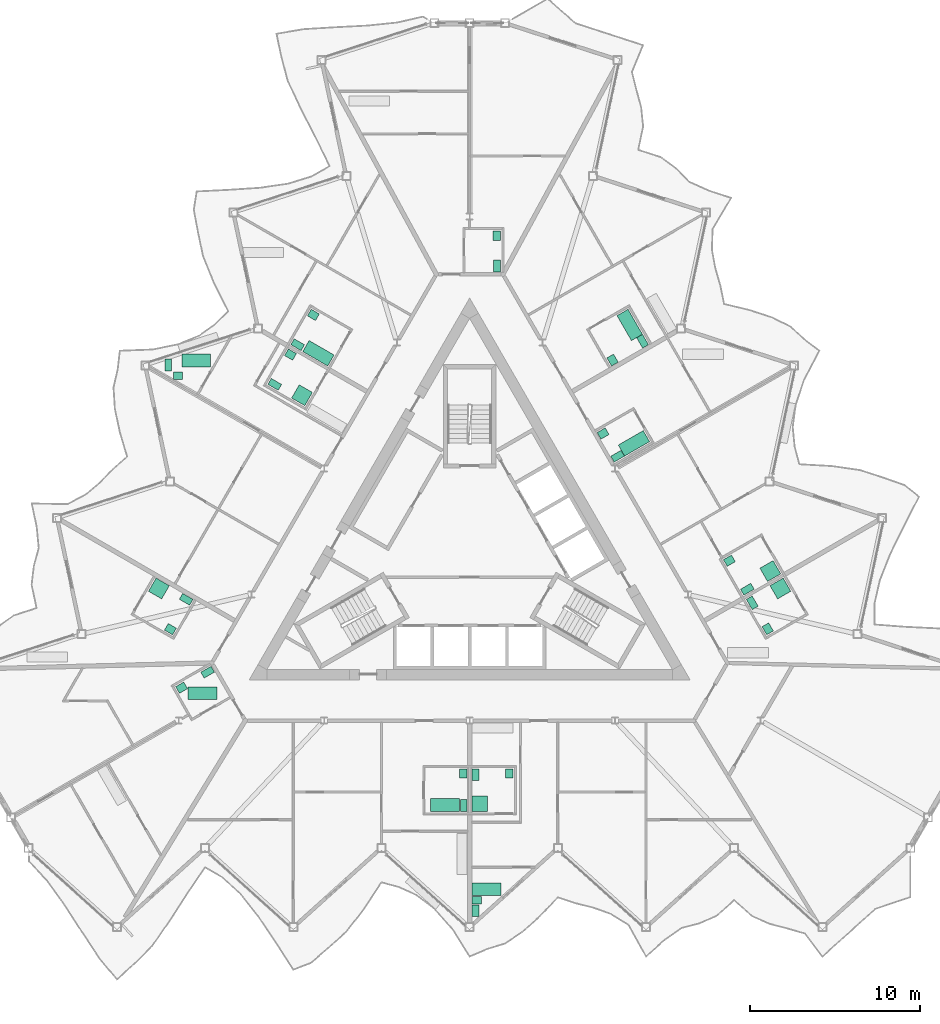
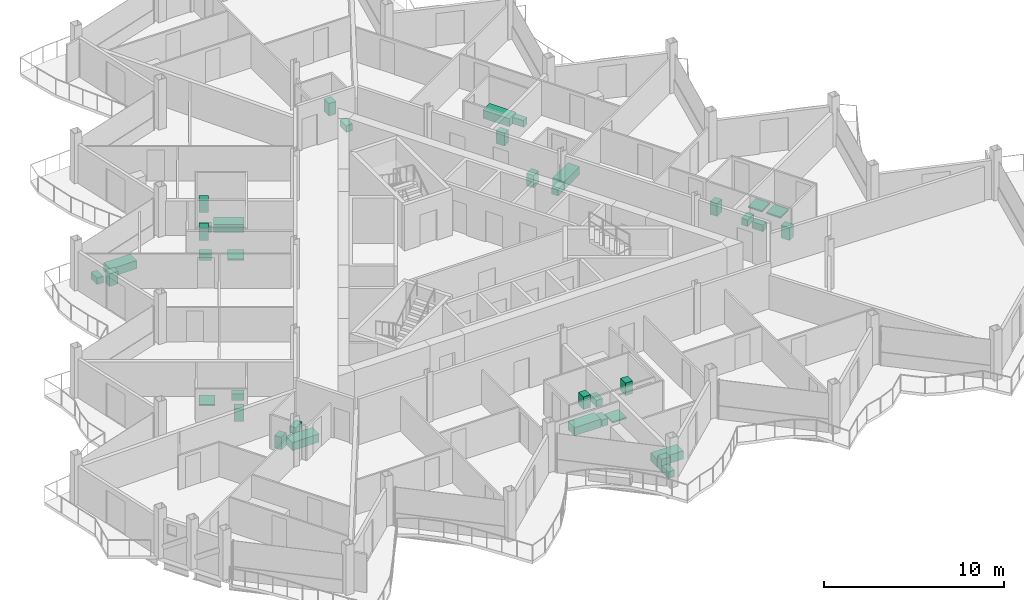
# One storey, part 25 of 26: 38 sanitary terminals.
"""IFC4 building model written with IfcOpenShell, lengths in metres."""

import ifcopenshell
import ifcopenshell.guid

model = None  # the IFC model being written
_history = None  # IfcOwnerHistory: only IFC2X3 demands one
_inside = {}  # id of a spatial element -> (the spatial element, [elements in it])
_under = {}  # id of a project, library or spatial element -> (it, [spatial elements below it])
_declared = {}  # id of a project -> (the project, [libraries it declares])
_typed = {}  # id of a type object -> (the type object, [elements of that type])
_made_of = {}  # id of a material, layer set ... -> (it, [elements and type objects made of it])


def new_model(schema):
    """Start an empty IFC model of exactly this schema.

    Asked for "IFC4X3", IfcOpenShell would pick the latest addendum, in which some entities
    have other attributes; the version numbers below select the first issue.
    IFC2X3 requires an IfcOwnerHistory on every rooted entity: one is made here for all.
    """
    global model, _history
    if schema == "IFC4X3":
        model = ifcopenshell.file(schema_version=(4, 3, 0, 0))
    else:
        model = ifcopenshell.file(schema=schema)
    _inside.clear()
    _under.clear()
    _declared.clear()
    _typed.clear()
    _made_of.clear()
    _history = None
    if model.schema == "IFC2X3":
        org = make("IfcOrganization", Name="unknown")
        user = make(
            "IfcPersonAndOrganization",
            ThePerson=make("IfcPerson", FamilyName="unknown"),
            TheOrganization=org,
        )
        app = make(
            "IfcApplication",
            ApplicationDeveloper=org,
            Version="unknown",
            ApplicationFullName="unknown",
            ApplicationIdentifier="unknown",
        )
        _history = make(
            "IfcOwnerHistory",
            OwningUser=user,
            OwningApplication=app,
            ChangeAction="ADDED",
            CreationDate=0,
        )
    return model


def make(cls, **values):
    """One entity of the class cls with the attributes given. An attribute that is None is left unset."""
    return model.create_entity(
        cls, **{name: value for name, value in values.items() if value is not None}
    )


def rooted(cls, **values):
    """An entity with a GlobalId (a new one), such as an element, a storey or a relation."""
    return make(cls, GlobalId=ifcopenshell.guid.new(), OwnerHistory=_history, **values)


def si_unit(unit_type, name, prefix=None):
    """IfcSIUnit, for example si_unit("LENGTHUNIT", "METRE", prefix="MILLI")."""
    return make("IfcSIUnit", UnitType=unit_type, Prefix=prefix, Name=name)


def assignment(units):
    """IfcUnitAssignment: the units of a project."""
    return None if units is None else make("IfcUnitAssignment", Units=units)


def point(xyz):
    """IfcCartesianPoint."""
    return None if xyz is None else make("IfcCartesianPoint", Coordinates=xyz)


def direction(xyz):
    """IfcDirection."""
    return None if xyz is None else make("IfcDirection", DirectionRatios=xyz)


def frame(location, z_axis=None, x_axis=None):
    """IfcAxis2Placement3D, a coordinate frame: its origin and axes. An axis left out is left unset."""
    return make(
        "IfcAxis2Placement3D",
        Location=point(location),
        Axis=direction(z_axis),
        RefDirection=direction(x_axis),
    )


def frame_2d(location, x_axis=None):
    """IfcAxis2Placement2D, a coordinate frame in the plane: its origin and x axis."""
    return make(
        "IfcAxis2Placement2D", Location=point(location), RefDirection=direction(x_axis)
    )


def origin():
    """The frame at (0, 0, 0) with its axes left unset."""
    return frame((0.0, 0.0, 0.0))


def origin_2d():
    """The frame at (0, 0) in the plane with its x axis left unset."""
    return frame_2d((0.0, 0.0))


def place(relative_to, where):
    """IfcLocalPlacement: puts the frame where relative to a parent placement (None: the world)."""
    return make(
        "IfcLocalPlacement", PlacementRelTo=relative_to, RelativePlacement=where
    )


def context(
    kind, dimensions, precision=None, world=None, true_north=None, identifier=None
):
    """IfcGeometricRepresentationContext, for example the 3D "Model" context."""
    return make(
        "IfcGeometricRepresentationContext",
        ContextIdentifier=identifier,
        ContextType=kind,
        CoordinateSpaceDimension=dimensions,
        Precision=precision,
        WorldCoordinateSystem=world,
        TrueNorth=true_north,
    )


def subcontext(parent, identifier, kind, view, scale=None):
    """IfcGeometricRepresentationSubContext, for example "Body" below "Model"."""
    return make(
        "IfcGeometricRepresentationSubContext",
        ContextIdentifier=identifier,
        ContextType=kind,
        ParentContext=parent,
        TargetScale=scale,
        TargetView=view,
    )


def project(units=None, contexts=None):
    """IfcProject with its units and contexts."""
    return rooted(
        "IfcProject",
        Name="project",
        RepresentationContexts=contexts,
        UnitsInContext=assignment(units),
    )


def spatial(cls, under=None, at=None, **own):
    """A site, building, storey or space (cls), placed at a placement, below another one or the project."""
    s = rooted(cls, ObjectPlacement=at, **own)
    if under is not None:
        _under.setdefault(under.id(), (under, []))[1].append(s)
    return s


def profile(cls, at=None, kind="AREA", **sizes):
    """A parametric profile (cls). Its sizes go by their IFC names, for example OverallWidth=200.0."""
    return make(cls, ProfileType=kind, Position=at, **sizes)


def rectangle(**sizes):
    """IfcRectangleProfileDef."""
    return profile("IfcRectangleProfileDef", **sizes)


def extrude(swept, where, along, depth):
    """IfcExtrudedAreaSolid: the profile swept, set in the frame where, extruded along a direction by depth."""
    return make(
        "IfcExtrudedAreaSolid",
        SweptArea=swept,
        Position=where,
        ExtrudedDirection=direction(along),
        Depth=depth,
    )


def shape(context_of_items, identifier, shape_type, items):
    """IfcShapeRepresentation: the items that make up one representation, for example the "Body"."""
    return make(
        "IfcShapeRepresentation",
        ContextOfItems=context_of_items,
        RepresentationIdentifier=identifier,
        RepresentationType=shape_type,
        Items=items,
    )


def material(Name=None, Category=None):
    """IfcMaterial."""
    return make("IfcMaterial", Name=Name, Category=Category)


def made_of(thing, what):
    """Note that an element or type object is made of a material, layer set ...; save() writes the relation."""
    if what is not None:
        _made_of.setdefault(what.id(), (what, []))[1].append(thing)
    return thing


def type_object(cls, material=None, **own):
    """A type object (cls), such as IfcWallType, which elements share."""
    return made_of(rooted(cls, **own), material)


def element(
    cls,
    number,
    at=None,
    inside=None,
    cuts=None,
    type_object=None,
    material=None,
    context=None,
    identifier="Body",
    shape_type=None,
    held_by="IfcProductDefinitionShape",
    body=None,
    shapes=None,
    **own,
):
    """One element of the class cls, such as IfcWall. Its Tag is "e" and its number.

    at: its placement. inside: the storey or other place that contains it. cuts: it is an
    opening in that element (IfcRelVoidsElement). A single representation is given by context,
    identifier, shape_type and body (its items); several are given by shapes. held_by: the class
    of the entity that holds the representations. save() writes the other relations.
    """
    e = rooted(cls, Tag="e%d" % number, ObjectPlacement=at, **own)
    if body is not None:
        shapes = [shape(context, identifier, shape_type, body)]
    if shapes is not None:
        e.Representation = make(held_by, Representations=shapes)
    if inside is not None:
        _inside.setdefault(inside.id(), (inside, []))[1].append(e)
    if cuts is not None:
        rooted(
            "IfcRelVoidsElement", RelatingBuildingElement=cuts, RelatedOpeningElement=e
        )
    if type_object is not None:
        _typed.setdefault(type_object.id(), (type_object, []))[1].append(e)
    return made_of(e, material)


def aggregate(whole, parts):
    """IfcRelAggregates: a whole, such as a stair, and the parts it consists of."""
    return rooted("IfcRelAggregates", RelatingObject=whole, RelatedObjects=parts)


def save(model, path):
    """Write the relations noted so far, then the file.

    IfcRelAggregates (storeys below a building ...), IfcRelContainedInSpatialStructure (elements
    in a storey), IfcRelDefinesByType, IfcRelAssociatesMaterial and IfcRelDeclares: one each for
    every whole, place, type object, material and project.
    """
    for whole, parts in _under.values():
        aggregate(whole, parts)
    for where, things in _inside.values():
        rooted(
            "IfcRelContainedInSpatialStructure",
            RelatedElements=things,
            RelatingStructure=where,
        )
    for kind, things in _typed.values():
        rooted("IfcRelDefinesByType", RelatedObjects=things, RelatingType=kind)
    for what, things in _made_of.values():
        rooted("IfcRelAssociatesMaterial", RelatedObjects=things, RelatingMaterial=what)
    for by, libraries in _declared.values():
        rooted("IfcRelDeclares", RelatingContext=by, RelatedDefinitions=libraries)
    model.write(path)


model = new_model("IFC4")

# Units and contexts
model_context = context("Model", 3, precision=1e-05, world=origin(), true_north=direction((0.0, 1.0)))
body_context = subcontext(model_context, "Body", "Model", "MODEL_VIEW")
ifc_project = project(units=[si_unit("LENGTHUNIT", "METRE"), si_unit("AREAUNIT", "SQUARE_METRE"), si_unit("VOLUMEUNIT", "CUBIC_METRE"), si_unit("PLANEANGLEUNIT", "RADIAN"), si_unit("MASSUNIT", "GRAM", prefix="KILO")], contexts=[model_context])

# Site, building, storey
site_placement = place(None, origin())
site = spatial("IfcSite", under=ifc_project, at=site_placement, CompositionType="ELEMENT")
building_placement = place(site_placement, origin())
building = spatial("IfcBuilding", under=site, at=building_placement, Name="Cormorant Prow Tower", CompositionType="ELEMENT")
storey_placement = place(building_placement, frame((0.0, 0.0, 401.800048828125)))
storey = spatial("IfcBuildingStorey", under=building, at=storey_placement, Name="L92", CompositionType="ELEMENT", Elevation=401.800048828125)

# Sanitary terminals
ifc_material_1 = material(Name="Vitreous china")
sanitary_terminal_type_1 = type_object("IfcSanitaryTerminalType", Name="Bath 1700x750", PredefinedType="BATH", material=ifc_material_1)
for number, where, z_axis, x_axis, name in (
    (1, (-1.455078125, -14.885498046875, 0.0), (0.0, 0.0, 1.0), (1.0, 0.0, 0.0), "Bath"),
    (2, (0.9951171875, -19.842529296875, 0.0), (0.0, 0.0, 1.0), (1.0, 0.0, 0.0), "Bath"),
    (3, (9.68701171875, 6.442626953125, 0.0), (0.0, 0.0, 1.0), (-0.866025403784, -0.5, 0.0), "Bath"),
    (4, (9.438720703125, 13.422607421875, 0.0), (0.0, 0.0, 1.0), (0.5, -0.866025403784, 0.0), "Bath"),
    (5, (-8.91845703125, 11.75390625, 0.0), (0.0, 0.0, 1.0), (-0.866025403784, 0.5, 0.0), "Bath"),
    (6, (-16.120361328125, 11.332763671875, 0.0), (0.0, 0.0, 1.0), (1.0, 0.0, 0.0), "Bath"),
    (7, (-15.75244140625, -8.29248046875, 0.0), (0.0, 0.0, 1.0), (1.0, 0.0, 0.0), "Bath"),
):
    element("IfcSanitaryTerminal", number, at=place(storey_placement, frame(where, z_axis=z_axis, x_axis=x_axis)), inside=storey, type_object=sanitary_terminal_type_1, Name=name, PredefinedType="BATH", context=body_context, shape_type="SweptSolid", body=[
        extrude(rectangle(XDim=1.699951171875, YDim=0.75, at=origin_2d()), origin(), (0.0, 0.0, 1.0), 0.550048828125),
    ])
ifc_material_2 = material(Name="Vitreous china")
sanitary_terminal_type_2 = type_object("IfcSanitaryTerminalType", Name="Shower tray 900x900", PredefinedType="SHOWER", material=ifc_material_2)
for number, where, z_axis, x_axis, name in (
    (8, (0.594970703125, -14.810546875, 0.0), (0.0, 0.0, 1.0), (0.0, 1.0, 0.0), "Shower tray"),
    (9, (18.32373046875, -2.11669921875, 0.0), (0.0, 0.0, 1.0), (0.5, -0.866025403784, 0.0), "Shower tray"),
    (10, (17.728759765625, -1.086181640625, 0.0), (0.0, 0.0, 1.0), (-0.866025403784, -0.5, 0.0), "Shower tray"),
    (11, (-9.884521484375, 9.280517578125, 0.0), (0.0, 0.0, 1.0), (-0.866025403784, 0.5, 0.0), "Shower tray"),
    (12, (-18.32373046875, -2.11669921875, 0.0), (0.0, 0.0, 1.0), (0.866025403784, -0.5, 0.0), "Shower tray"),
):
    element("IfcSanitaryTerminal", number, at=place(storey_placement, frame(where, z_axis=z_axis, x_axis=x_axis)), inside=storey, type_object=sanitary_terminal_type_2, Name=name, PredefinedType="SHOWER", context=body_context, shape_type="SweptSolid", body=[
        extrude(rectangle(XDim=0.89990234375, YDim=0.89990234375, at=origin_2d()), origin(), (0.0, 0.0, 1.0), 0.10009765625),
    ])
ifc_material_3 = material(Name="Vitreous china")
sanitary_terminal_type_3 = type_object("IfcSanitaryTerminalType", Name="Wash basin 550x450", PredefinedType="WASHHANDBASIN", material=ifc_material_3)
for number, where, z_axis, x_axis, name in (
    (13, (-0.3701171875, -13.025634765625, 0.0), (0.0, 0.0, 1.0), (0.0, -1.0, 0.0), "Wash basin"),
    (14, (0.419921875, -20.49267578125, 0.0), (0.0, 0.0, 1.0), (1.0, 0.0, 0.0), "Wash basin"),
    (15, (2.330078125, -13.025634765625, 0.0), (0.0, 0.0, 1.0), (0.0, -1.0, 0.0), "Wash basin"),
    (16, (17.5771484375, -4.493408203125, 0.0), (0.0, 0.0, 1.0), (-0.5, 0.866025403784, 0.0), "Wash basin"),
    (17, (7.869140625, 7.021240234375, 0.0), (0.0, 0.0, 1.0), (0.866025403784, 0.5, 0.0), "Wash basin"),
    (18, (15.3154296875, -0.47607421875, 0.0), (0.0, 0.0, 1.0), (0.866025403784, 0.5, 0.0), "Wash basin"),
    (19, (8.42724609375, 11.354736328125, 0.0), (0.0, 0.0, 1.0), (-0.5, 0.866025403784, 0.0), "Wash basin"),
    (20, (1.593017578125, 18.69091796875, 0.0), (0.0, 0.0, 1.0), (0.0, -1.0, 0.0), "Wash basin"),
    (21, (-9.212890625, 14.013916015625, 0.0), (0.0, 0.0, 1.0), (0.866025403784, -0.5, 0.0), "Wash basin"),
    (22, (-17.1953125, 10.4326171875, 0.0), (0.0, 0.0, 1.0), (1.0, 0.0, 0.0), "Wash basin"),
    (23, (-10.56298828125, 11.67578125, 0.0), (0.0, 0.0, 1.0), (0.866025403784, -0.5, 0.0), "Wash basin"),
    (24, (-17.6455078125, -4.51171875, 0.0), (0.0, 0.0, 1.0), (-0.866025403784, 0.5, 0.0), "Wash basin"),
    (25, (-16.9833984375, -7.966064453125, 0.0), (0.0, 0.0, 1.0), (0.866025403784, 0.5, 0.0), "Wash basin"),
):
    element("IfcSanitaryTerminal", number, at=place(storey_placement, frame(where, z_axis=z_axis, x_axis=x_axis)), inside=storey, type_object=sanitary_terminal_type_3, Name=name, PredefinedType="WASHHANDBASIN", context=body_context, shape_type="SweptSolid", body=[
        extrude(rectangle(XDim=0.550048828125, YDim=0.449951171875, at=origin_2d()), origin(), (0.0, 0.0, 1.0), 0.85009765625),
    ])
ifc_material_4 = material(Name="Vitreous china")
sanitary_terminal_type_4 = type_object("IfcSanitaryTerminalType", Name="Water closet 400x700", PredefinedType="WCSEAT", material=ifc_material_4)
for number, where, z_axis, x_axis, name in (
    (26, (-0.344970703125, -14.91064453125, 0.0), (0.0, 0.0, 1.0), (-1.0, 0.0, 0.0), "Water closet"),
    (27, (0.344970703125, -21.11767578125, 0.0), (0.0, 0.0, 1.0), (1.0, 0.0, 0.0), "Water closet"),
    (28, (0.344970703125, -13.1005859375, 0.0), (0.0, 0.0, 1.0), (1.0, 0.0, 0.0), "Water closet"),
    (29, (16.6630859375, -2.960205078125, 0.0), (0.0, 0.0, 1.0), (0.866025403784, 0.5, 0.0), "Water closet"),
    (30, (8.726806640625, 5.68603515625, 0.0), (0.0, 0.0, 1.0), (-0.5, 0.866025403784, 0.0), "Water closet"),
    (31, (16.372802734375, -2.15771484375, 0.0), (0.0, 0.0, 1.0), (-0.5, 0.866025403784, 0.0), "Water closet"),
    (32, (10.1953125, 12.46240234375, 0.0), (0.0, 0.0, 1.0), (-0.866025403784, -0.5, 0.0), "Water closet"),
    (33, (1.617919921875, 16.906005859375, 0.0), (0.0, 0.0, 1.0), (-1.0, 0.0, 0.0), "Water closet"),
    (34, (-10.140380859375, 12.25732421875, 0.0), (0.0, 0.0, 1.0), (0.5, 0.866025403784, 0.0), "Water closet"),
    (35, (-17.770263671875, 11.0576171875, 0.0), (0.0, 0.0, 1.0), (1.0, 0.0, 0.0), "Water closet"),
    (36, (-11.490478515625, 9.919189453125, 0.0), (0.0, 0.0, 1.0), (0.5, 0.866025403784, 0.0), "Water closet"),
    (37, (-16.718017578125, -2.755126953125, 0.0), (0.0, 0.0, 1.0), (-0.5, -0.866025403784, 0.0), "Water closet"),
    (38, (-15.4501953125, -7.0517578125, 0.0), (0.0, 0.0, 1.0), (0.5, -0.866025403784, 0.0), "Water closet"),
):
    element("IfcSanitaryTerminal", number, at=place(storey_placement, frame(where, z_axis=z_axis, x_axis=x_axis)), inside=storey, type_object=sanitary_terminal_type_4, Name=name, PredefinedType="WCSEAT", context=body_context, shape_type="SweptSolid", body=[
        extrude(rectangle(XDim=0.39990234375, YDim=0.699951171875, at=origin_2d()), origin(), (0.0, 0.0, 1.0), 0.449951171875),
    ])

save(model, "model.ifc")
